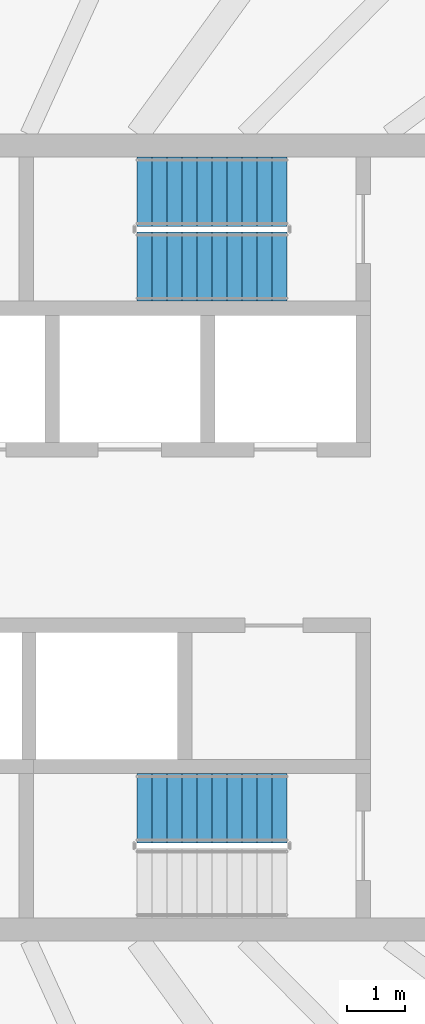
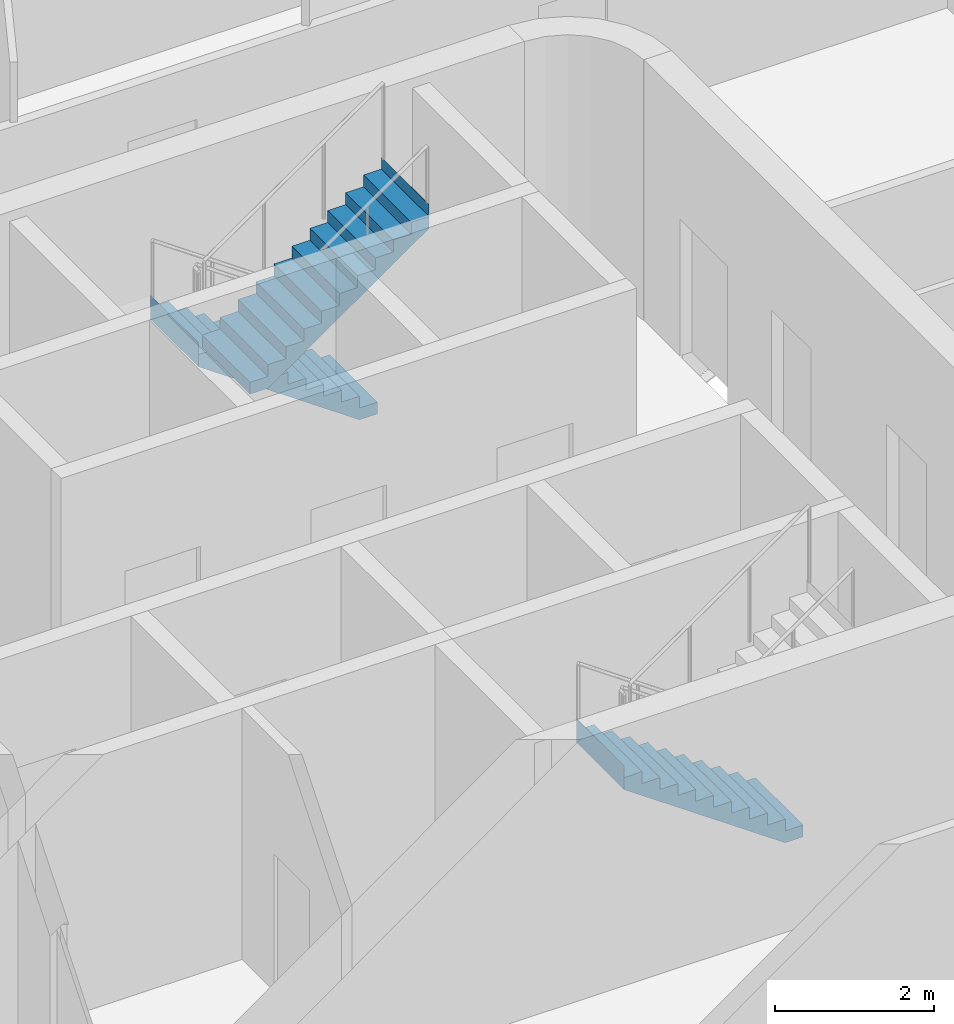
# One storey, part 15 of 20: 3 stair flights, 2 elements without a shape of their own.
"""IFC4 building model written with IfcOpenShell, lengths in metres."""

import ifcopenshell
import ifcopenshell.guid

model = None  # the IFC model being written
_history = None  # IfcOwnerHistory: only IFC2X3 demands one
_inside = {}  # id of a spatial element -> (the spatial element, [elements in it])
_under = {}  # id of a project, library or spatial element -> (it, [spatial elements below it])
_declared = {}  # id of a project -> (the project, [libraries it declares])
_typed = {}  # id of a type object -> (the type object, [elements of that type])
_made_of = {}  # id of a material, layer set ... -> (it, [elements and type objects made of it])


def new_model(schema):
    """Start an empty IFC model of exactly this schema.

    Asked for "IFC4X3", IfcOpenShell would pick the latest addendum, in which some entities
    have other attributes; the version numbers below select the first issue.
    IFC2X3 requires an IfcOwnerHistory on every rooted entity: one is made here for all.
    """
    global model, _history
    if schema == "IFC4X3":
        model = ifcopenshell.file(schema_version=(4, 3, 0, 0))
    else:
        model = ifcopenshell.file(schema=schema)
    _inside.clear()
    _under.clear()
    _declared.clear()
    _typed.clear()
    _made_of.clear()
    _history = None
    if model.schema == "IFC2X3":
        org = make("IfcOrganization", Name="unknown")
        user = make(
            "IfcPersonAndOrganization",
            ThePerson=make("IfcPerson", FamilyName="unknown"),
            TheOrganization=org,
        )
        app = make(
            "IfcApplication",
            ApplicationDeveloper=org,
            Version="unknown",
            ApplicationFullName="unknown",
            ApplicationIdentifier="unknown",
        )
        _history = make(
            "IfcOwnerHistory",
            OwningUser=user,
            OwningApplication=app,
            ChangeAction="ADDED",
            CreationDate=0,
        )
    return model


def make(cls, **values):
    """One entity of the class cls with the attributes given. An attribute that is None is left unset."""
    return model.create_entity(
        cls, **{name: value for name, value in values.items() if value is not None}
    )


def rooted(cls, **values):
    """An entity with a GlobalId (a new one), such as an element, a storey or a relation."""
    return make(cls, GlobalId=ifcopenshell.guid.new(), OwnerHistory=_history, **values)


def si_unit(unit_type, name, prefix=None):
    """IfcSIUnit, for example si_unit("LENGTHUNIT", "METRE", prefix="MILLI")."""
    return make("IfcSIUnit", UnitType=unit_type, Prefix=prefix, Name=name)


def assignment(units):
    """IfcUnitAssignment: the units of a project."""
    return None if units is None else make("IfcUnitAssignment", Units=units)


def point(xyz):
    """IfcCartesianPoint."""
    return None if xyz is None else make("IfcCartesianPoint", Coordinates=xyz)


def direction(xyz):
    """IfcDirection."""
    return None if xyz is None else make("IfcDirection", DirectionRatios=xyz)


def frame(location, z_axis=None, x_axis=None):
    """IfcAxis2Placement3D, a coordinate frame: its origin and axes. An axis left out is left unset."""
    return make(
        "IfcAxis2Placement3D",
        Location=point(location),
        Axis=direction(z_axis),
        RefDirection=direction(x_axis),
    )


def origin():
    """The frame at (0, 0, 0) with its axes left unset."""
    return frame((0.0, 0.0, 0.0))


def place(relative_to, where):
    """IfcLocalPlacement: puts the frame where relative to a parent placement (None: the world)."""
    return make(
        "IfcLocalPlacement", PlacementRelTo=relative_to, RelativePlacement=where
    )


def context(
    kind, dimensions, precision=None, world=None, true_north=None, identifier=None
):
    """IfcGeometricRepresentationContext, for example the 3D "Model" context."""
    return make(
        "IfcGeometricRepresentationContext",
        ContextIdentifier=identifier,
        ContextType=kind,
        CoordinateSpaceDimension=dimensions,
        Precision=precision,
        WorldCoordinateSystem=world,
        TrueNorth=true_north,
    )


def subcontext(parent, identifier, kind, view, scale=None):
    """IfcGeometricRepresentationSubContext, for example "Body" below "Model"."""
    return make(
        "IfcGeometricRepresentationSubContext",
        ContextIdentifier=identifier,
        ContextType=kind,
        ParentContext=parent,
        TargetScale=scale,
        TargetView=view,
    )


def project(units=None, contexts=None):
    """IfcProject with its units and contexts."""
    return rooted(
        "IfcProject",
        Name="project",
        RepresentationContexts=contexts,
        UnitsInContext=assignment(units),
    )


def spatial(cls, under=None, at=None, **own):
    """A site, building, storey or space (cls), placed at a placement, below another one or the project."""
    s = rooted(cls, ObjectPlacement=at, **own)
    if under is not None:
        _under.setdefault(under.id(), (under, []))[1].append(s)
    return s


def point_list(points):
    """IfcCartesianPointList2D or 3D."""
    cls = (
        "IfcCartesianPointList2D" if len(points[0]) == 2 else "IfcCartesianPointList3D"
    )
    return make(cls, CoordList=points)


def triangles(points, corners, closed=None, point_numbers=None):
    """IfcTriangulatedFaceSet: each triangle names its three corners, points numbered from 1."""
    return make(
        "IfcTriangulatedFaceSet",
        Coordinates=point_list(points),
        Closed=closed,
        CoordIndex=corners,
        PnIndex=point_numbers,
    )


def shape(context_of_items, identifier, shape_type, items):
    """IfcShapeRepresentation: the items that make up one representation, for example the "Body"."""
    return make(
        "IfcShapeRepresentation",
        ContextOfItems=context_of_items,
        RepresentationIdentifier=identifier,
        RepresentationType=shape_type,
        Items=items,
    )


def material(Name=None, Category=None):
    """IfcMaterial."""
    return make("IfcMaterial", Name=Name, Category=Category)


def made_of(thing, what):
    """Note that an element or type object is made of a material, layer set ...; save() writes the relation."""
    if what is not None:
        _made_of.setdefault(what.id(), (what, []))[1].append(thing)
    return thing


def type_object(cls, material=None, **own):
    """A type object (cls), such as IfcWallType, which elements share."""
    return made_of(rooted(cls, **own), material)


def element(
    cls,
    number,
    at=None,
    inside=None,
    cuts=None,
    type_object=None,
    material=None,
    context=None,
    identifier="Body",
    shape_type=None,
    held_by="IfcProductDefinitionShape",
    body=None,
    shapes=None,
    **own,
):
    """One element of the class cls, such as IfcWall. Its Tag is "e" and its number.

    at: its placement. inside: the storey or other place that contains it. cuts: it is an
    opening in that element (IfcRelVoidsElement). A single representation is given by context,
    identifier, shape_type and body (its items); several are given by shapes. held_by: the class
    of the entity that holds the representations. save() writes the other relations.
    """
    e = rooted(cls, Tag="e%d" % number, ObjectPlacement=at, **own)
    if body is not None:
        shapes = [shape(context, identifier, shape_type, body)]
    if shapes is not None:
        e.Representation = make(held_by, Representations=shapes)
    if inside is not None:
        _inside.setdefault(inside.id(), (inside, []))[1].append(e)
    if cuts is not None:
        rooted(
            "IfcRelVoidsElement", RelatingBuildingElement=cuts, RelatedOpeningElement=e
        )
    if type_object is not None:
        _typed.setdefault(type_object.id(), (type_object, []))[1].append(e)
    return made_of(e, material)


def aggregate(whole, parts):
    """IfcRelAggregates: a whole, such as a stair, and the parts it consists of."""
    return rooted("IfcRelAggregates", RelatingObject=whole, RelatedObjects=parts)


def save(model, path):
    """Write the relations noted so far, then the file.

    IfcRelAggregates (storeys below a building ...), IfcRelContainedInSpatialStructure (elements
    in a storey), IfcRelDefinesByType, IfcRelAssociatesMaterial and IfcRelDeclares: one each for
    every whole, place, type object, material and project.
    """
    for whole, parts in _under.values():
        aggregate(whole, parts)
    for where, things in _inside.values():
        rooted(
            "IfcRelContainedInSpatialStructure",
            RelatedElements=things,
            RelatingStructure=where,
        )
    for kind, things in _typed.values():
        rooted("IfcRelDefinesByType", RelatedObjects=things, RelatingType=kind)
    for what, things in _made_of.values():
        rooted("IfcRelAssociatesMaterial", RelatedObjects=things, RelatingMaterial=what)
    for by, libraries in _declared.values():
        rooted("IfcRelDeclares", RelatingContext=by, RelatedDefinitions=libraries)
    model.write(path)


model = new_model("IFC4")

# Units and contexts
model_context = context("Model", 3, precision=1e-05, world=origin(), true_north=direction((0.0, 1.0)))
body_context = subcontext(model_context, "Body", "Model", "MODEL_VIEW")
ifc_project = project(units=[si_unit("LENGTHUNIT", "METRE"), si_unit("AREAUNIT", "SQUARE_METRE"), si_unit("VOLUMEUNIT", "CUBIC_METRE"), si_unit("PLANEANGLEUNIT", "RADIAN"), si_unit("MASSUNIT", "GRAM", prefix="KILO")], contexts=[model_context])

# Site, building, storey
site_placement = place(None, origin())
site = spatial("IfcSite", under=ifc_project, at=site_placement, CompositionType="ELEMENT")
building_placement = place(site_placement, origin())
building = spatial("IfcBuilding", under=site, at=building_placement, Name="Sahrelin Media Tower", CompositionType="ELEMENT")
storey_placement = place(building_placement, frame((0.0, 0.0, 221.60009765625)))
storey = spatial("IfcBuildingStorey", under=building, at=storey_placement, Name="L47", CompositionType="ELEMENT", Elevation=221.60009765625)

# Stair, stair flights
ifc_material = material(Name="Concrete C40/50", Category="concrete")
stair_type = type_object("IfcStairType", Name="Exit stair 1200", PredefinedType="HALF_TURN_STAIR", material=ifc_material)
placement = place(storey_placement, origin())
stair_1 = element("IfcStair", 1, at=placement, inside=storey, type_object=stair_type, Name="L47 Exit stair ST3", PredefinedType="HALF_TURN_STAIR")
stair_flight_type = type_object("IfcStairFlightType", Name="Stair flight 1200", PredefinedType="STRAIGHT", material=ifc_material)
stair_flight_1_placement = place(storey_placement, frame((7.675048828125, 6.0, 0.0), z_axis=(0.0, 0.0, 1.0), x_axis=(-1.0, 0.0, 0.0)))
stair_flight_1 = element("IfcStairFlight", 2, at=stair_flight_1_placement, type_object=stair_flight_type, Name="ST3 flight 1", NumberOfRisers=11, NumberOfTreads=10, PredefinedType="STRAIGHT", RiserHeight=0.181818182, TreadLength=0.26, context=body_context, shape_type="Tessellation", body=[
    triangles([(0.261474609375, 0.60009765625, 0.0), (0.261474609375, 0.300048828125, 0.0), (0.261474609375, 0.0, 0.0), (0.261474609375, -0.300048828125, 0.0), (0.261474609375, -0.60009765625, 0.0), (2.60009765625, 0.60009765625, 1.63525390625), (2.60009765625, 0.300048828125, 1.63525390625), (2.60009765625, 0.0, 1.63525390625), (2.60009765625, -0.300048828125, 1.63525390625), (2.60009765625, -0.60009765625, 1.63525390625), (2.60009765625, 0.60009765625, 2.0), (2.60009765625, 0.300048828125, 2.0), (2.60009765625, 0.0, 2.0), (2.60009765625, -0.300048828125, 2.0), (2.60009765625, -0.60009765625, 2.0), (2.597900390625, 0.60009765625, 2.0), (2.597900390625, 0.300048828125, 2.0), (2.597900390625, 0.0, 2.0), (2.597900390625, -0.300048828125, 2.0), (2.597900390625, -0.60009765625, 2.0), (2.597900390625, 0.60009765625, 1.818115234375), (2.597900390625, 0.300048828125, 1.818115234375), (2.597900390625, 0.0, 1.818115234375), (2.597900390625, -0.300048828125, 1.818115234375), (2.597900390625, -0.60009765625, 1.818115234375), (2.340087890625, 0.60009765625, 1.818115234375), (2.340087890625, 0.300048828125, 1.818115234375), (2.340087890625, 0.0, 1.818115234375), (2.340087890625, -0.300048828125, 1.818115234375), (2.340087890625, -0.60009765625, 1.818115234375), (2.340087890625, 0.60009765625, 1.636474609375), (2.340087890625, 0.300048828125, 1.636474609375), (2.340087890625, 0.0, 1.636474609375), (2.340087890625, -0.300048828125, 1.636474609375), (2.340087890625, -0.60009765625, 1.636474609375), (2.080078125, 0.60009765625, 1.636474609375), (2.080078125, 0.300048828125, 1.636474609375), (2.080078125, 0.0, 1.636474609375), (2.080078125, -0.300048828125, 1.636474609375), (2.080078125, -0.60009765625, 1.636474609375), (2.080078125, 0.60009765625, 1.45458984375), (2.080078125, 0.300048828125, 1.45458984375), (2.080078125, 0.0, 1.45458984375), (2.080078125, -0.300048828125, 1.45458984375), (2.080078125, -0.60009765625, 1.45458984375), (1.820068359375, 0.60009765625, 1.45458984375), (1.820068359375, 0.300048828125, 1.45458984375), (1.820068359375, 0.0, 1.45458984375), (1.820068359375, -0.300048828125, 1.45458984375), (1.820068359375, -0.60009765625, 1.45458984375), (1.820068359375, 0.60009765625, 1.272705078125), (1.820068359375, 0.300048828125, 1.272705078125), (1.820068359375, 0.0, 1.272705078125), (1.820068359375, -0.300048828125, 1.272705078125), (1.820068359375, -0.60009765625, 1.272705078125), (1.56005859375, 0.60009765625, 1.272705078125), (1.56005859375, 0.300048828125, 1.272705078125), (1.56005859375, 0.0, 1.272705078125), (1.56005859375, -0.300048828125, 1.272705078125), (1.56005859375, -0.60009765625, 1.272705078125), (1.56005859375, 0.60009765625, 1.0908203125), (1.56005859375, 0.300048828125, 1.0908203125), (1.56005859375, 0.0, 1.0908203125), (1.56005859375, -0.300048828125, 1.0908203125), (1.56005859375, -0.60009765625, 1.0908203125), (1.300048828125, 0.60009765625, 1.0908203125), (1.300048828125, 0.300048828125, 1.0908203125), (1.300048828125, 0.0, 1.0908203125), (1.300048828125, -0.300048828125, 1.0908203125), (1.300048828125, -0.60009765625, 1.0908203125), (1.300048828125, 0.60009765625, 0.9091796875), (1.300048828125, 0.300048828125, 0.9091796875), (1.300048828125, 0.0, 0.9091796875), (1.300048828125, -0.300048828125, 0.9091796875), (1.300048828125, -0.60009765625, 0.9091796875), (1.0400390625, 0.60009765625, 0.9091796875), (1.0400390625, 0.300048828125, 0.9091796875), (1.0400390625, 0.0, 0.9091796875), (1.0400390625, -0.300048828125, 0.9091796875), (1.0400390625, -0.60009765625, 0.9091796875), (1.0400390625, 0.60009765625, 0.727294921875), (1.0400390625, 0.300048828125, 0.727294921875), (1.0400390625, 0.0, 0.727294921875), (1.0400390625, -0.300048828125, 0.727294921875), (1.0400390625, -0.60009765625, 0.727294921875), (0.780029296875, 0.60009765625, 0.727294921875), (0.780029296875, 0.300048828125, 0.727294921875), (0.780029296875, 0.0, 0.727294921875), (0.780029296875, -0.300048828125, 0.727294921875), (0.780029296875, -0.60009765625, 0.727294921875), (0.780029296875, 0.60009765625, 0.54541015625), (0.780029296875, 0.300048828125, 0.54541015625), (0.780029296875, 0.0, 0.54541015625), (0.780029296875, -0.300048828125, 0.54541015625), (0.780029296875, -0.60009765625, 0.54541015625), (0.52001953125, 0.60009765625, 0.54541015625), (0.52001953125, 0.300048828125, 0.54541015625), (0.52001953125, 0.0, 0.54541015625), (0.52001953125, -0.300048828125, 0.54541015625), (0.52001953125, -0.60009765625, 0.54541015625), (0.52001953125, 0.60009765625, 0.363525390625), (0.52001953125, 0.300048828125, 0.363525390625), (0.52001953125, 0.0, 0.363525390625), (0.52001953125, -0.300048828125, 0.363525390625), (0.52001953125, -0.60009765625, 0.363525390625), (0.260009765625, 0.60009765625, 0.363525390625), (0.260009765625, 0.300048828125, 0.363525390625), (0.260009765625, 0.0, 0.363525390625), (0.260009765625, -0.300048828125, 0.363525390625), (0.260009765625, -0.60009765625, 0.363525390625), (0.260009765625, 0.60009765625, 0.181884765625), (0.260009765625, 0.300048828125, 0.181884765625), (0.260009765625, 0.0, 0.181884765625), (0.260009765625, -0.300048828125, 0.181884765625), (0.260009765625, -0.60009765625, 0.181884765625), (0.0, 0.60009765625, 0.181884765625), (0.0, 0.300048828125, 0.181884765625), (0.0, 0.0, 0.181884765625), (0.0, -0.300048828125, 0.181884765625), (0.0, -0.60009765625, 0.181884765625), (0.0, 0.60009765625, 0.0), (0.0, 0.300048828125, 0.0), (0.0, 0.0, 0.0), (0.0, -0.300048828125, 0.0), (0.0, -0.60009765625, 0.0)], [[1, 6, 7], [1, 7, 2], [2, 7, 8], [2, 8, 3], [3, 8, 9], [3, 9, 4], [4, 9, 10], [4, 10, 5], [6, 11, 12], [6, 12, 7], [7, 12, 13], [7, 13, 8], [8, 13, 14], [8, 14, 9], [9, 14, 15], [9, 15, 10], [11, 16, 17], [11, 17, 12], [12, 17, 18], [12, 18, 13], [13, 18, 19], [13, 19, 14], [14, 19, 20], [14, 20, 15], [16, 21, 22], [16, 22, 17], [17, 22, 23], [17, 23, 18], [18, 23, 24], [18, 24, 19], [19, 24, 25], [19, 25, 20], [21, 26, 27], [21, 27, 22], [22, 27, 28], [22, 28, 23], [23, 28, 29], [23, 29, 24], [24, 29, 30], [24, 30, 25], [26, 31, 32], [26, 32, 27], [27, 32, 33], [27, 33, 28], [28, 33, 34], [28, 34, 29], [29, 34, 35], [29, 35, 30], [31, 36, 37], [31, 37, 32], [32, 37, 38], [32, 38, 33], [33, 38, 39], [33, 39, 34], [34, 39, 40], [34, 40, 35], [36, 41, 42], [36, 42, 37], [37, 42, 43], [37, 43, 38], [38, 43, 44], [38, 44, 39], [39, 44, 45], [39, 45, 40], [41, 46, 47], [41, 47, 42], [42, 47, 48], [42, 48, 43], [43, 48, 49], [43, 49, 44], [44, 49, 50], [44, 50, 45], [46, 51, 52], [46, 52, 47], [47, 52, 53], [47, 53, 48], [48, 53, 54], [48, 54, 49], [49, 54, 55], [49, 55, 50], [51, 56, 57], [51, 57, 52], [52, 57, 58], [52, 58, 53], [53, 58, 59], [53, 59, 54], [54, 59, 60], [54, 60, 55], [56, 61, 62], [56, 62, 57], [57, 62, 63], [57, 63, 58], [58, 63, 64], [58, 64, 59], [59, 64, 65], [59, 65, 60], [61, 66, 67], [61, 67, 62], [62, 67, 68], [62, 68, 63], [63, 68, 69], [63, 69, 64], [64, 69, 70], [64, 70, 65], [66, 71, 72], [66, 72, 67], [67, 72, 73], [67, 73, 68], [68, 73, 74], [68, 74, 69], [69, 74, 75], [69, 75, 70], [71, 76, 77], [71, 77, 72], [72, 77, 78], [72, 78, 73], [73, 78, 79], [73, 79, 74], [74, 79, 80], [74, 80, 75], [76, 81, 82], [76, 82, 77], [77, 82, 83], [77, 83, 78], [78, 83, 84], [78, 84, 79], [79, 84, 85], [79, 85, 80], [81, 86, 87], [81, 87, 82], [82, 87, 88], [82, 88, 83], [83, 88, 89], [83, 89, 84], [84, 89, 90], [84, 90, 85], [86, 91, 92], [86, 92, 87], [87, 92, 93], [87, 93, 88], [88, 93, 94], [88, 94, 89], [89, 94, 95], [89, 95, 90], [91, 96, 97], [91, 97, 92], [92, 97, 98], [92, 98, 93], [93, 98, 99], [93, 99, 94], [94, 99, 100], [94, 100, 95], [96, 101, 102], [96, 102, 97], [97, 102, 103], [97, 103, 98], [98, 103, 104], [98, 104, 99], [99, 104, 105], [99, 105, 100], [101, 106, 107], [101, 107, 102], [102, 107, 108], [102, 108, 103], [103, 108, 109], [103, 109, 104], [104, 109, 110], [104, 110, 105], [106, 111, 112], [106, 112, 107], [107, 112, 113], [107, 113, 108], [108, 113, 114], [108, 114, 109], [109, 114, 115], [109, 115, 110], [111, 116, 117], [111, 117, 112], [112, 117, 118], [112, 118, 113], [113, 118, 119], [113, 119, 114], [114, 119, 120], [114, 120, 115], [116, 121, 122], [116, 122, 117], [117, 122, 123], [117, 123, 118], [118, 123, 124], [118, 124, 119], [119, 124, 125], [119, 125, 120], [121, 1, 2], [121, 2, 122], [122, 2, 3], [122, 3, 123], [123, 3, 4], [123, 4, 124], [124, 4, 5], [124, 5, 125], [115, 120, 125], [111, 121, 116], [115, 105, 110], [111, 106, 101], [105, 95, 100], [101, 96, 91], [95, 85, 90], [91, 86, 81], [85, 75, 80], [81, 76, 71], [75, 65, 70], [71, 66, 61], [65, 55, 60], [61, 56, 51], [55, 45, 50], [51, 46, 41], [45, 35, 40], [41, 36, 31], [35, 25, 30], [31, 26, 21], [25, 15, 20], [21, 16, 11], [125, 5, 115], [121, 111, 1], [25, 10, 15], [21, 11, 6], [105, 115, 5], [101, 1, 111], [35, 10, 25], [31, 21, 6], [95, 105, 5], [91, 1, 101], [45, 10, 35], [41, 31, 6], [85, 95, 5], [81, 1, 91], [55, 10, 45], [51, 41, 6], [75, 85, 5], [71, 1, 81], [65, 10, 55], [61, 51, 6], [5, 10, 75], [1, 71, 6], [75, 10, 65], [71, 61, 6]], closed=True),
])
stair_flight_2_placement = place(storey_placement, frame((5.074951171875, 4.699951171875, 2.0), z_axis=(0.0, 0.0, 1.0), x_axis=(1.0, 0.0, 0.0)))
stair_flight_2 = element("IfcStairFlight", 3, at=stair_flight_2_placement, type_object=stair_flight_type, Name="ST3 flight 2", NumberOfRisers=11, NumberOfTreads=10, PredefinedType="STRAIGHT", RiserHeight=0.181818182, TreadLength=0.26, context=body_context, shape_type="Tessellation", body=[
    triangles([(0.261474609375, 0.60009765625, 0.0), (0.261474609375, 0.300048828125, 0.0), (0.261474609375, 0.0, 0.0), (0.261474609375, -0.300048828125, 0.0), (0.261474609375, -0.60009765625, 0.0), (2.60009765625, 0.60009765625, 1.63525390625), (2.60009765625, 0.300048828125, 1.63525390625), (2.60009765625, 0.0, 1.63525390625), (2.60009765625, -0.300048828125, 1.63525390625), (2.60009765625, -0.60009765625, 1.63525390625), (2.60009765625, 0.60009765625, 2.0), (2.60009765625, 0.300048828125, 2.0), (2.60009765625, 0.0, 2.0), (2.60009765625, -0.300048828125, 2.0), (2.60009765625, -0.60009765625, 2.0), (2.597900390625, 0.60009765625, 2.0), (2.597900390625, 0.300048828125, 2.0), (2.597900390625, 0.0, 2.0), (2.597900390625, -0.300048828125, 2.0), (2.597900390625, -0.60009765625, 2.0), (2.597900390625, 0.60009765625, 1.818115234375), (2.597900390625, 0.300048828125, 1.818115234375), (2.597900390625, 0.0, 1.818115234375), (2.597900390625, -0.300048828125, 1.818115234375), (2.597900390625, -0.60009765625, 1.818115234375), (2.340087890625, 0.60009765625, 1.818115234375), (2.340087890625, 0.300048828125, 1.818115234375), (2.340087890625, 0.0, 1.818115234375), (2.340087890625, -0.300048828125, 1.818115234375), (2.340087890625, -0.60009765625, 1.818115234375), (2.340087890625, 0.60009765625, 1.636474609375), (2.340087890625, 0.300048828125, 1.636474609375), (2.340087890625, 0.0, 1.636474609375), (2.340087890625, -0.300048828125, 1.636474609375), (2.340087890625, -0.60009765625, 1.636474609375), (2.080078125, 0.60009765625, 1.636474609375), (2.080078125, 0.300048828125, 1.636474609375), (2.080078125, 0.0, 1.636474609375), (2.080078125, -0.300048828125, 1.636474609375), (2.080078125, -0.60009765625, 1.636474609375), (2.080078125, 0.60009765625, 1.45458984375), (2.080078125, 0.300048828125, 1.45458984375), (2.080078125, 0.0, 1.45458984375), (2.080078125, -0.300048828125, 1.45458984375), (2.080078125, -0.60009765625, 1.45458984375), (1.820068359375, 0.60009765625, 1.45458984375), (1.820068359375, 0.300048828125, 1.45458984375), (1.820068359375, 0.0, 1.45458984375), (1.820068359375, -0.300048828125, 1.45458984375), (1.820068359375, -0.60009765625, 1.45458984375), (1.820068359375, 0.60009765625, 1.272705078125), (1.820068359375, 0.300048828125, 1.272705078125), (1.820068359375, 0.0, 1.272705078125), (1.820068359375, -0.300048828125, 1.272705078125), (1.820068359375, -0.60009765625, 1.272705078125), (1.56005859375, 0.60009765625, 1.272705078125), (1.56005859375, 0.300048828125, 1.272705078125), (1.56005859375, 0.0, 1.272705078125), (1.56005859375, -0.300048828125, 1.272705078125), (1.56005859375, -0.60009765625, 1.272705078125), (1.56005859375, 0.60009765625, 1.0908203125), (1.56005859375, 0.300048828125, 1.0908203125), (1.56005859375, 0.0, 1.0908203125), (1.56005859375, -0.300048828125, 1.0908203125), (1.56005859375, -0.60009765625, 1.0908203125), (1.300048828125, 0.60009765625, 1.0908203125), (1.300048828125, 0.300048828125, 1.0908203125), (1.300048828125, 0.0, 1.0908203125), (1.300048828125, -0.300048828125, 1.0908203125), (1.300048828125, -0.60009765625, 1.0908203125), (1.300048828125, 0.60009765625, 0.9091796875), (1.300048828125, 0.300048828125, 0.9091796875), (1.300048828125, 0.0, 0.9091796875), (1.300048828125, -0.300048828125, 0.9091796875), (1.300048828125, -0.60009765625, 0.9091796875), (1.0400390625, 0.60009765625, 0.9091796875), (1.0400390625, 0.300048828125, 0.9091796875), (1.0400390625, 0.0, 0.9091796875), (1.0400390625, -0.300048828125, 0.9091796875), (1.0400390625, -0.60009765625, 0.9091796875), (1.0400390625, 0.60009765625, 0.727294921875), (1.0400390625, 0.300048828125, 0.727294921875), (1.0400390625, 0.0, 0.727294921875), (1.0400390625, -0.300048828125, 0.727294921875), (1.0400390625, -0.60009765625, 0.727294921875), (0.780029296875, 0.60009765625, 0.727294921875), (0.780029296875, 0.300048828125, 0.727294921875), (0.780029296875, 0.0, 0.727294921875), (0.780029296875, -0.300048828125, 0.727294921875), (0.780029296875, -0.60009765625, 0.727294921875), (0.780029296875, 0.60009765625, 0.54541015625), (0.780029296875, 0.300048828125, 0.54541015625), (0.780029296875, 0.0, 0.54541015625), (0.780029296875, -0.300048828125, 0.54541015625), (0.780029296875, -0.60009765625, 0.54541015625), (0.52001953125, 0.60009765625, 0.54541015625), (0.52001953125, 0.300048828125, 0.54541015625), (0.52001953125, 0.0, 0.54541015625), (0.52001953125, -0.300048828125, 0.54541015625), (0.52001953125, -0.60009765625, 0.54541015625), (0.52001953125, 0.60009765625, 0.363525390625), (0.52001953125, 0.300048828125, 0.363525390625), (0.52001953125, 0.0, 0.363525390625), (0.52001953125, -0.300048828125, 0.363525390625), (0.52001953125, -0.60009765625, 0.363525390625), (0.260009765625, 0.60009765625, 0.363525390625), (0.260009765625, 0.300048828125, 0.363525390625), (0.260009765625, 0.0, 0.363525390625), (0.260009765625, -0.300048828125, 0.363525390625), (0.260009765625, -0.60009765625, 0.363525390625), (0.260009765625, 0.60009765625, 0.181884765625), (0.260009765625, 0.300048828125, 0.181884765625), (0.260009765625, 0.0, 0.181884765625), (0.260009765625, -0.300048828125, 0.181884765625), (0.260009765625, -0.60009765625, 0.181884765625), (0.0, 0.60009765625, 0.181884765625), (0.0, 0.300048828125, 0.181884765625), (0.0, 0.0, 0.181884765625), (0.0, -0.300048828125, 0.181884765625), (0.0, -0.60009765625, 0.181884765625), (0.0, 0.60009765625, 0.0), (0.0, 0.300048828125, 0.0), (0.0, 0.0, 0.0), (0.0, -0.300048828125, 0.0), (0.0, -0.60009765625, 0.0)], [[1, 6, 7], [1, 7, 2], [2, 7, 8], [2, 8, 3], [3, 8, 9], [3, 9, 4], [4, 9, 10], [4, 10, 5], [6, 11, 12], [6, 12, 7], [7, 12, 13], [7, 13, 8], [8, 13, 14], [8, 14, 9], [9, 14, 15], [9, 15, 10], [11, 16, 17], [11, 17, 12], [12, 17, 18], [12, 18, 13], [13, 18, 19], [13, 19, 14], [14, 19, 20], [14, 20, 15], [16, 21, 22], [16, 22, 17], [17, 22, 23], [17, 23, 18], [18, 23, 24], [18, 24, 19], [19, 24, 25], [19, 25, 20], [21, 26, 27], [21, 27, 22], [22, 27, 28], [22, 28, 23], [23, 28, 29], [23, 29, 24], [24, 29, 30], [24, 30, 25], [26, 31, 32], [26, 32, 27], [27, 32, 33], [27, 33, 28], [28, 33, 34], [28, 34, 29], [29, 34, 35], [29, 35, 30], [31, 36, 37], [31, 37, 32], [32, 37, 38], [32, 38, 33], [33, 38, 39], [33, 39, 34], [34, 39, 40], [34, 40, 35], [36, 41, 42], [36, 42, 37], [37, 42, 43], [37, 43, 38], [38, 43, 44], [38, 44, 39], [39, 44, 45], [39, 45, 40], [41, 46, 47], [41, 47, 42], [42, 47, 48], [42, 48, 43], [43, 48, 49], [43, 49, 44], [44, 49, 50], [44, 50, 45], [46, 51, 52], [46, 52, 47], [47, 52, 53], [47, 53, 48], [48, 53, 54], [48, 54, 49], [49, 54, 55], [49, 55, 50], [51, 56, 57], [51, 57, 52], [52, 57, 58], [52, 58, 53], [53, 58, 59], [53, 59, 54], [54, 59, 60], [54, 60, 55], [56, 61, 62], [56, 62, 57], [57, 62, 63], [57, 63, 58], [58, 63, 64], [58, 64, 59], [59, 64, 65], [59, 65, 60], [61, 66, 67], [61, 67, 62], [62, 67, 68], [62, 68, 63], [63, 68, 69], [63, 69, 64], [64, 69, 70], [64, 70, 65], [66, 71, 72], [66, 72, 67], [67, 72, 73], [67, 73, 68], [68, 73, 74], [68, 74, 69], [69, 74, 75], [69, 75, 70], [71, 76, 77], [71, 77, 72], [72, 77, 78], [72, 78, 73], [73, 78, 79], [73, 79, 74], [74, 79, 80], [74, 80, 75], [76, 81, 82], [76, 82, 77], [77, 82, 83], [77, 83, 78], [78, 83, 84], [78, 84, 79], [79, 84, 85], [79, 85, 80], [81, 86, 87], [81, 87, 82], [82, 87, 88], [82, 88, 83], [83, 88, 89], [83, 89, 84], [84, 89, 90], [84, 90, 85], [86, 91, 92], [86, 92, 87], [87, 92, 93], [87, 93, 88], [88, 93, 94], [88, 94, 89], [89, 94, 95], [89, 95, 90], [91, 96, 97], [91, 97, 92], [92, 97, 98], [92, 98, 93], [93, 98, 99], [93, 99, 94], [94, 99, 100], [94, 100, 95], [96, 101, 102], [96, 102, 97], [97, 102, 103], [97, 103, 98], [98, 103, 104], [98, 104, 99], [99, 104, 105], [99, 105, 100], [101, 106, 107], [101, 107, 102], [102, 107, 108], [102, 108, 103], [103, 108, 109], [103, 109, 104], [104, 109, 110], [104, 110, 105], [106, 111, 112], [106, 112, 107], [107, 112, 113], [107, 113, 108], [108, 113, 114], [108, 114, 109], [109, 114, 115], [109, 115, 110], [111, 116, 117], [111, 117, 112], [112, 117, 118], [112, 118, 113], [113, 118, 119], [113, 119, 114], [114, 119, 120], [114, 120, 115], [116, 121, 122], [116, 122, 117], [117, 122, 123], [117, 123, 118], [118, 123, 124], [118, 124, 119], [119, 124, 125], [119, 125, 120], [121, 1, 2], [121, 2, 122], [122, 2, 3], [122, 3, 123], [123, 3, 4], [123, 4, 124], [124, 4, 5], [124, 5, 125], [115, 120, 125], [111, 121, 116], [115, 105, 110], [111, 106, 101], [105, 95, 100], [101, 96, 91], [95, 85, 90], [91, 86, 81], [85, 75, 80], [81, 76, 71], [75, 65, 70], [71, 66, 61], [65, 55, 60], [61, 56, 51], [55, 45, 50], [51, 46, 41], [45, 35, 40], [41, 36, 31], [35, 25, 30], [31, 26, 21], [25, 15, 20], [21, 16, 11], [125, 5, 115], [121, 111, 1], [25, 10, 15], [21, 11, 6], [105, 115, 5], [101, 1, 111], [35, 10, 25], [31, 21, 6], [95, 105, 5], [91, 1, 101], [45, 10, 35], [41, 31, 6], [85, 95, 5], [81, 1, 91], [55, 10, 45], [51, 41, 6], [75, 85, 5], [71, 1, 81], [65, 10, 55], [61, 51, 6], [5, 10, 75], [1, 71, 6], [75, 10, 65], [71, 61, 6]], closed=True),
])
aggregate(stair_1, [stair_flight_1, stair_flight_2])

# Stair, stair flight
stair_2 = element("IfcStair", 4, at=placement, inside=storey, type_object=stair_type, Name="L47 Exit stair ST2", PredefinedType="HALF_TURN_STAIR")
stair_flight_3_placement = place(storey_placement, frame((7.675048828125, -4.699951171875, 0.0), z_axis=(0.0, 0.0, 1.0), x_axis=(-1.0, 0.0, 0.0)))
stair_flight_3 = element("IfcStairFlight", 5, at=stair_flight_3_placement, type_object=stair_flight_type, Name="ST2 flight 1", NumberOfRisers=11, NumberOfTreads=10, PredefinedType="STRAIGHT", RiserHeight=0.181818182, TreadLength=0.26, context=body_context, shape_type="Tessellation", body=[
    triangles([(0.261474609375, 0.60009765625, 0.0), (0.261474609375, 0.300048828125, 0.0), (0.261474609375, 0.0, 0.0), (0.261474609375, -0.300048828125, 0.0), (0.261474609375, -0.60009765625, 0.0), (2.60009765625, 0.60009765625, 1.63525390625), (2.60009765625, 0.300048828125, 1.63525390625), (2.60009765625, 0.0, 1.63525390625), (2.60009765625, -0.300048828125, 1.63525390625), (2.60009765625, -0.60009765625, 1.63525390625), (2.60009765625, 0.60009765625, 2.0), (2.60009765625, 0.300048828125, 2.0), (2.60009765625, 0.0, 2.0), (2.60009765625, -0.300048828125, 2.0), (2.60009765625, -0.60009765625, 2.0), (2.597900390625, 0.60009765625, 2.0), (2.597900390625, 0.300048828125, 2.0), (2.597900390625, 0.0, 2.0), (2.597900390625, -0.300048828125, 2.0), (2.597900390625, -0.60009765625, 2.0), (2.597900390625, 0.60009765625, 1.818115234375), (2.597900390625, 0.300048828125, 1.818115234375), (2.597900390625, 0.0, 1.818115234375), (2.597900390625, -0.300048828125, 1.818115234375), (2.597900390625, -0.60009765625, 1.818115234375), (2.340087890625, 0.60009765625, 1.818115234375), (2.340087890625, 0.300048828125, 1.818115234375), (2.340087890625, 0.0, 1.818115234375), (2.340087890625, -0.300048828125, 1.818115234375), (2.340087890625, -0.60009765625, 1.818115234375), (2.340087890625, 0.60009765625, 1.636474609375), (2.340087890625, 0.300048828125, 1.636474609375), (2.340087890625, 0.0, 1.636474609375), (2.340087890625, -0.300048828125, 1.636474609375), (2.340087890625, -0.60009765625, 1.636474609375), (2.080078125, 0.60009765625, 1.636474609375), (2.080078125, 0.300048828125, 1.636474609375), (2.080078125, 0.0, 1.636474609375), (2.080078125, -0.300048828125, 1.636474609375), (2.080078125, -0.60009765625, 1.636474609375), (2.080078125, 0.60009765625, 1.45458984375), (2.080078125, 0.300048828125, 1.45458984375), (2.080078125, 0.0, 1.45458984375), (2.080078125, -0.300048828125, 1.45458984375), (2.080078125, -0.60009765625, 1.45458984375), (1.820068359375, 0.60009765625, 1.45458984375), (1.820068359375, 0.300048828125, 1.45458984375), (1.820068359375, 0.0, 1.45458984375), (1.820068359375, -0.300048828125, 1.45458984375), (1.820068359375, -0.60009765625, 1.45458984375), (1.820068359375, 0.60009765625, 1.272705078125), (1.820068359375, 0.300048828125, 1.272705078125), (1.820068359375, 0.0, 1.272705078125), (1.820068359375, -0.300048828125, 1.272705078125), (1.820068359375, -0.60009765625, 1.272705078125), (1.56005859375, 0.60009765625, 1.272705078125), (1.56005859375, 0.300048828125, 1.272705078125), (1.56005859375, 0.0, 1.272705078125), (1.56005859375, -0.300048828125, 1.272705078125), (1.56005859375, -0.60009765625, 1.272705078125), (1.56005859375, 0.60009765625, 1.0908203125), (1.56005859375, 0.300048828125, 1.0908203125), (1.56005859375, 0.0, 1.0908203125), (1.56005859375, -0.300048828125, 1.0908203125), (1.56005859375, -0.60009765625, 1.0908203125), (1.300048828125, 0.60009765625, 1.0908203125), (1.300048828125, 0.300048828125, 1.0908203125), (1.300048828125, 0.0, 1.0908203125), (1.300048828125, -0.300048828125, 1.0908203125), (1.300048828125, -0.60009765625, 1.0908203125), (1.300048828125, 0.60009765625, 0.9091796875), (1.300048828125, 0.300048828125, 0.9091796875), (1.300048828125, 0.0, 0.9091796875), (1.300048828125, -0.300048828125, 0.9091796875), (1.300048828125, -0.60009765625, 0.9091796875), (1.0400390625, 0.60009765625, 0.9091796875), (1.0400390625, 0.300048828125, 0.9091796875), (1.0400390625, 0.0, 0.9091796875), (1.0400390625, -0.300048828125, 0.9091796875), (1.0400390625, -0.60009765625, 0.9091796875), (1.0400390625, 0.60009765625, 0.727294921875), (1.0400390625, 0.300048828125, 0.727294921875), (1.0400390625, 0.0, 0.727294921875), (1.0400390625, -0.300048828125, 0.727294921875), (1.0400390625, -0.60009765625, 0.727294921875), (0.780029296875, 0.60009765625, 0.727294921875), (0.780029296875, 0.300048828125, 0.727294921875), (0.780029296875, 0.0, 0.727294921875), (0.780029296875, -0.300048828125, 0.727294921875), (0.780029296875, -0.60009765625, 0.727294921875), (0.780029296875, 0.60009765625, 0.54541015625), (0.780029296875, 0.300048828125, 0.54541015625), (0.780029296875, 0.0, 0.54541015625), (0.780029296875, -0.300048828125, 0.54541015625), (0.780029296875, -0.60009765625, 0.54541015625), (0.52001953125, 0.60009765625, 0.54541015625), (0.52001953125, 0.300048828125, 0.54541015625), (0.52001953125, 0.0, 0.54541015625), (0.52001953125, -0.300048828125, 0.54541015625), (0.52001953125, -0.60009765625, 0.54541015625), (0.52001953125, 0.60009765625, 0.363525390625), (0.52001953125, 0.300048828125, 0.363525390625), (0.52001953125, 0.0, 0.363525390625), (0.52001953125, -0.300048828125, 0.363525390625), (0.52001953125, -0.60009765625, 0.363525390625), (0.260009765625, 0.60009765625, 0.363525390625), (0.260009765625, 0.300048828125, 0.363525390625), (0.260009765625, 0.0, 0.363525390625), (0.260009765625, -0.300048828125, 0.363525390625), (0.260009765625, -0.60009765625, 0.363525390625), (0.260009765625, 0.60009765625, 0.181884765625), (0.260009765625, 0.300048828125, 0.181884765625), (0.260009765625, 0.0, 0.181884765625), (0.260009765625, -0.300048828125, 0.181884765625), (0.260009765625, -0.60009765625, 0.181884765625), (0.0, 0.60009765625, 0.181884765625), (0.0, 0.300048828125, 0.181884765625), (0.0, 0.0, 0.181884765625), (0.0, -0.300048828125, 0.181884765625), (0.0, -0.60009765625, 0.181884765625), (0.0, 0.60009765625, 0.0), (0.0, 0.300048828125, 0.0), (0.0, 0.0, 0.0), (0.0, -0.300048828125, 0.0), (0.0, -0.60009765625, 0.0)], [[1, 6, 7], [1, 7, 2], [2, 7, 8], [2, 8, 3], [3, 8, 9], [3, 9, 4], [4, 9, 10], [4, 10, 5], [6, 11, 12], [6, 12, 7], [7, 12, 13], [7, 13, 8], [8, 13, 14], [8, 14, 9], [9, 14, 15], [9, 15, 10], [11, 16, 17], [11, 17, 12], [12, 17, 18], [12, 18, 13], [13, 18, 19], [13, 19, 14], [14, 19, 20], [14, 20, 15], [16, 21, 22], [16, 22, 17], [17, 22, 23], [17, 23, 18], [18, 23, 24], [18, 24, 19], [19, 24, 25], [19, 25, 20], [21, 26, 27], [21, 27, 22], [22, 27, 28], [22, 28, 23], [23, 28, 29], [23, 29, 24], [24, 29, 30], [24, 30, 25], [26, 31, 32], [26, 32, 27], [27, 32, 33], [27, 33, 28], [28, 33, 34], [28, 34, 29], [29, 34, 35], [29, 35, 30], [31, 36, 37], [31, 37, 32], [32, 37, 38], [32, 38, 33], [33, 38, 39], [33, 39, 34], [34, 39, 40], [34, 40, 35], [36, 41, 42], [36, 42, 37], [37, 42, 43], [37, 43, 38], [38, 43, 44], [38, 44, 39], [39, 44, 45], [39, 45, 40], [41, 46, 47], [41, 47, 42], [42, 47, 48], [42, 48, 43], [43, 48, 49], [43, 49, 44], [44, 49, 50], [44, 50, 45], [46, 51, 52], [46, 52, 47], [47, 52, 53], [47, 53, 48], [48, 53, 54], [48, 54, 49], [49, 54, 55], [49, 55, 50], [51, 56, 57], [51, 57, 52], [52, 57, 58], [52, 58, 53], [53, 58, 59], [53, 59, 54], [54, 59, 60], [54, 60, 55], [56, 61, 62], [56, 62, 57], [57, 62, 63], [57, 63, 58], [58, 63, 64], [58, 64, 59], [59, 64, 65], [59, 65, 60], [61, 66, 67], [61, 67, 62], [62, 67, 68], [62, 68, 63], [63, 68, 69], [63, 69, 64], [64, 69, 70], [64, 70, 65], [66, 71, 72], [66, 72, 67], [67, 72, 73], [67, 73, 68], [68, 73, 74], [68, 74, 69], [69, 74, 75], [69, 75, 70], [71, 76, 77], [71, 77, 72], [72, 77, 78], [72, 78, 73], [73, 78, 79], [73, 79, 74], [74, 79, 80], [74, 80, 75], [76, 81, 82], [76, 82, 77], [77, 82, 83], [77, 83, 78], [78, 83, 84], [78, 84, 79], [79, 84, 85], [79, 85, 80], [81, 86, 87], [81, 87, 82], [82, 87, 88], [82, 88, 83], [83, 88, 89], [83, 89, 84], [84, 89, 90], [84, 90, 85], [86, 91, 92], [86, 92, 87], [87, 92, 93], [87, 93, 88], [88, 93, 94], [88, 94, 89], [89, 94, 95], [89, 95, 90], [91, 96, 97], [91, 97, 92], [92, 97, 98], [92, 98, 93], [93, 98, 99], [93, 99, 94], [94, 99, 100], [94, 100, 95], [96, 101, 102], [96, 102, 97], [97, 102, 103], [97, 103, 98], [98, 103, 104], [98, 104, 99], [99, 104, 105], [99, 105, 100], [101, 106, 107], [101, 107, 102], [102, 107, 108], [102, 108, 103], [103, 108, 109], [103, 109, 104], [104, 109, 110], [104, 110, 105], [106, 111, 112], [106, 112, 107], [107, 112, 113], [107, 113, 108], [108, 113, 114], [108, 114, 109], [109, 114, 115], [109, 115, 110], [111, 116, 117], [111, 117, 112], [112, 117, 118], [112, 118, 113], [113, 118, 119], [113, 119, 114], [114, 119, 120], [114, 120, 115], [116, 121, 122], [116, 122, 117], [117, 122, 123], [117, 123, 118], [118, 123, 124], [118, 124, 119], [119, 124, 125], [119, 125, 120], [121, 1, 2], [121, 2, 122], [122, 2, 3], [122, 3, 123], [123, 3, 4], [123, 4, 124], [124, 4, 5], [124, 5, 125], [115, 120, 125], [111, 121, 116], [115, 105, 110], [111, 106, 101], [105, 95, 100], [101, 96, 91], [95, 85, 90], [91, 86, 81], [85, 75, 80], [81, 76, 71], [75, 65, 70], [71, 66, 61], [65, 55, 60], [61, 56, 51], [55, 45, 50], [51, 46, 41], [45, 35, 40], [41, 36, 31], [35, 25, 30], [31, 26, 21], [25, 15, 20], [21, 16, 11], [125, 5, 115], [121, 111, 1], [25, 10, 15], [21, 11, 6], [105, 115, 5], [101, 1, 111], [35, 10, 25], [31, 21, 6], [95, 105, 5], [91, 1, 101], [45, 10, 35], [41, 31, 6], [85, 95, 5], [81, 1, 91], [55, 10, 45], [51, 41, 6], [75, 85, 5], [71, 1, 81], [65, 10, 55], [61, 51, 6], [5, 10, 75], [1, 71, 6], [75, 10, 65], [71, 61, 6]], closed=True),
])
aggregate(stair_2, [stair_flight_3])

save(model, "model.ifc")
